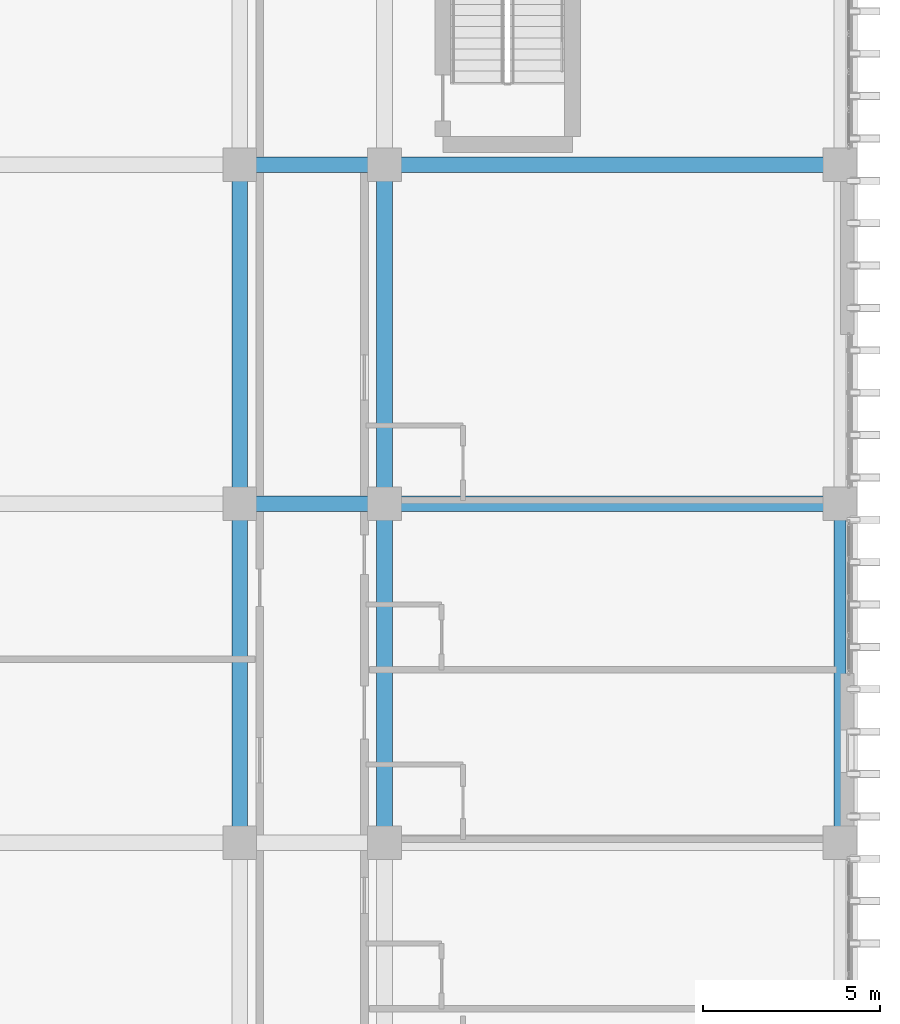
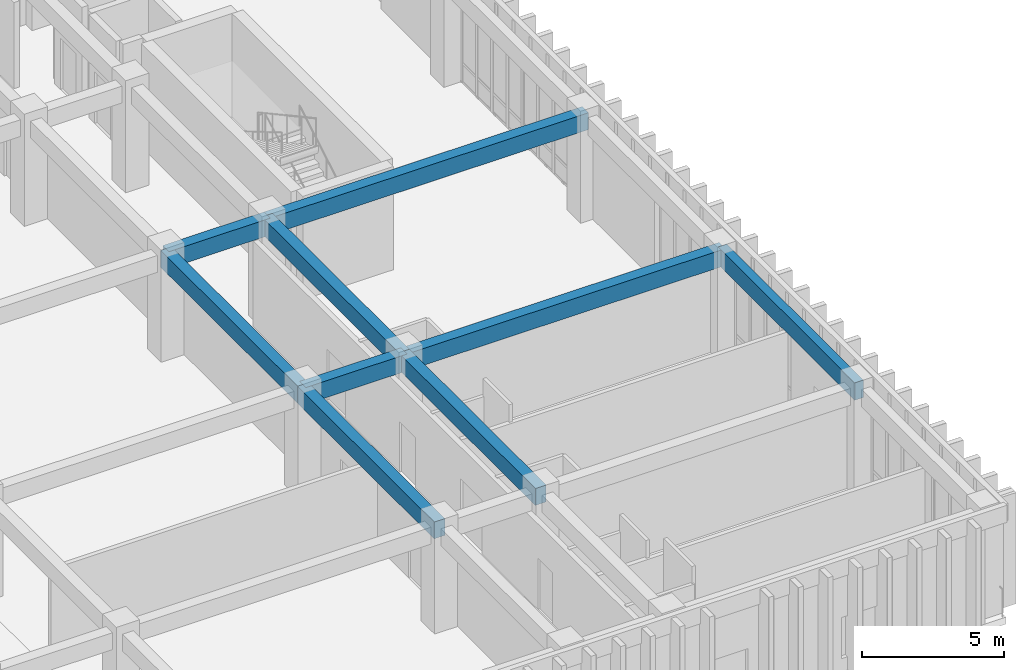
# One storey, part 58 of 133: 9 beams.
"""IFC4 building model written with IfcOpenShell, lengths in metres."""

from ifc_helpers import new_model, si_unit, direction, frame, origin, origin_2d, place, context, subcontext, project, spatial, rectangle, extrude, material, material_profile, profile_set, type_object, element, save


model = new_model("IFC4")

# Units and contexts
model_context = context("Model", 3, precision=1e-05, world=origin(), true_north=direction((0.0, 1.0)))
body_context = subcontext(model_context, "Body", "Model", "MODEL_VIEW")
ifc_project = project(units=[si_unit("LENGTHUNIT", "METRE"), si_unit("AREAUNIT", "SQUARE_METRE"), si_unit("VOLUMEUNIT", "CUBIC_METRE"), si_unit("PLANEANGLEUNIT", "RADIAN"), si_unit("MASSUNIT", "GRAM", prefix="KILO")], contexts=[model_context])

# Site, building, storey
site_placement = place(None, origin())
site = spatial("IfcSite", under=ifc_project, at=site_placement, CompositionType="ELEMENT")
building_placement = place(site_placement, origin())
building = spatial("IfcBuilding", under=site, at=building_placement, Name="Nakhvara Creek Congress Hotel", CompositionType="ELEMENT")
storey_placement = place(building_placement, frame((0.0, 0.0, 11.39990234375)))
storey = spatial("IfcBuildingStorey", under=building, at=storey_placement, Name="L02", CompositionType="ELEMENT", Elevation=11.39990234375)

# Beams
ifc_material = material(Name="Concrete C40/50", Category="concrete")
ifc_material_profile_1 = material_profile(ifc_material, rectangle(XDim=0.43994140625, YDim=0.719970703125, at=origin_2d()), Name="RC-BM 440x720", Category="LoadBearing")
ifc_profile_set_1 = profile_set([ifc_material_profile_1], Name="Concrete C40/50")
beam_type_1 = type_object("IfcBeamType", Name="BM-RC-440X720", PredefinedType="BEAM", material=ifc_profile_set_1)
beam_1_placement = place(storey_placement, frame((162.35009765625, 9.60009765625, 4.06005859375), z_axis=(0.0, 1.0, 0.0), x_axis=(-1.0, 0.0, 0.0)))
element("IfcBeam", 1, at=beam_1_placement, inside=storey, type_object=beam_type_1, Name="Beam B12-L02-1601", PredefinedType="BEAM", context=body_context, shape_type="SweptSolid", body=[
    extrude(rectangle(XDim=0.43994140625, YDim=0.719970703125, at=origin_2d()), origin(), (0.0, 0.0, 1.0), 9.599853515625),
])
beam_2_placement = place(storey_placement, frame((162.35009765625, 19.199951171875, 4.06005859375), z_axis=(0.0, 1.0, 0.0), x_axis=(-1.0, 0.0, 0.0)))
element("IfcBeam", 2, at=beam_2_placement, inside=storey, type_object=beam_type_1, Name="Beam B12-L02-1603", PredefinedType="BEAM", context=body_context, shape_type="SweptSolid", body=[
    extrude(rectangle(XDim=0.43994140625, YDim=0.719970703125, at=origin_2d()), origin(), (0.0, 0.0, 1.0), 9.60009765625),
])
for number, where, z_axis, x_axis, name in (
    (3, (162.35009765625, 19.199951171875, 4.06005859375), (1.0, 0.0, 0.0), (0.0, 1.0, 0.0), "Beam B12-L02-1604"),
    (4, (162.35009765625, 28.800048828125, 4.06005859375), (1.0, 0.0, 0.0), (0.0, 1.0, 0.0), "Beam B12-L02-1606"),
):
    element("IfcBeam", number, at=place(storey_placement, frame(where, z_axis=z_axis, x_axis=x_axis)), inside=storey, type_object=beam_type_1, Name=name, PredefinedType="BEAM", context=body_context, shape_type="SweptSolid", body=[
        extrude(rectangle(XDim=0.43994140625, YDim=0.719970703125, at=origin_2d()), origin(), (0.0, 0.0, 1.0), 4.099853515625),
    ])
beam_3_placement = place(storey_placement, frame((166.449951171875, 9.60009765625, 4.06005859375), z_axis=(0.0, 1.0, 0.0), x_axis=(-1.0, 0.0, 0.0)))
element("IfcBeam", 5, at=beam_3_placement, inside=storey, type_object=beam_type_1, Name="Beam B12-L02-1628", PredefinedType="BEAM", context=body_context, shape_type="SweptSolid", body=[
    extrude(rectangle(XDim=0.43994140625, YDim=0.719970703125, at=origin_2d()), origin(), (0.0, 0.0, 1.0), 9.599853515625),
])
beam_4_placement = place(storey_placement, frame((166.449951171875, 19.199951171875, 4.06005859375), z_axis=(0.0, 1.0, 0.0), x_axis=(-1.0, 0.0, 0.0)))
element("IfcBeam", 6, at=beam_4_placement, inside=storey, type_object=beam_type_1, Name="Beam B12-L02-1630", PredefinedType="BEAM", context=body_context, shape_type="SweptSolid", body=[
    extrude(rectangle(XDim=0.43994140625, YDim=0.719970703125, at=origin_2d()), origin(), (0.0, 0.0, 1.0), 9.60009765625),
])
for number, where, z_axis, x_axis, name in (
    (7, (166.449951171875, 19.199951171875, 4.06005859375), (1.0, 0.0, 0.0), (0.0, 1.0, 0.0), "Beam B12-L02-1631"),
    (8, (166.449951171875, 28.800048828125, 4.06005859375), (1.0, 0.0, 0.0), (0.0, 1.0, 0.0), "Beam B12-L02-1633"),
):
    element("IfcBeam", number, at=place(storey_placement, frame(where, z_axis=z_axis, x_axis=x_axis)), inside=storey, type_object=beam_type_1, Name=name, PredefinedType="BEAM", context=body_context, shape_type="SweptSolid", body=[
        extrude(rectangle(XDim=0.43994140625, YDim=0.719970703125, at=origin_2d()), origin(), (0.0, 0.0, 1.0), 12.900146484375),
    ])
ifc_material_profile_2 = material_profile(ifc_material, rectangle(XDim=0.35009765625, YDim=0.75, at=origin_2d()), Name="RC-SPANDREL 350x750", Category="LoadBearing")
ifc_profile_set_2 = profile_set([ifc_material_profile_2], Name="Concrete C40/50")
beam_type_2 = type_object("IfcBeamType", Name="BM-SPN-350X750", PredefinedType="SPANDREL", material=ifc_profile_set_2)
beam_5_placement = place(storey_placement, frame((179.35009765625, 9.60009765625, 4.045166015625), z_axis=(0.0, 1.0, 0.0), x_axis=(-1.0, 0.0, 0.0)))
element("IfcBeam", 9, at=beam_5_placement, inside=storey, type_object=beam_type_2, Name="Beam SP1-L02-1652", PredefinedType="SPANDREL", context=body_context, shape_type="SweptSolid", body=[
    extrude(rectangle(XDim=0.35009765625, YDim=0.75, at=origin_2d()), origin(), (0.0, 0.0, 1.0), 9.599853515625),
])

save(model, "model.ifc")
